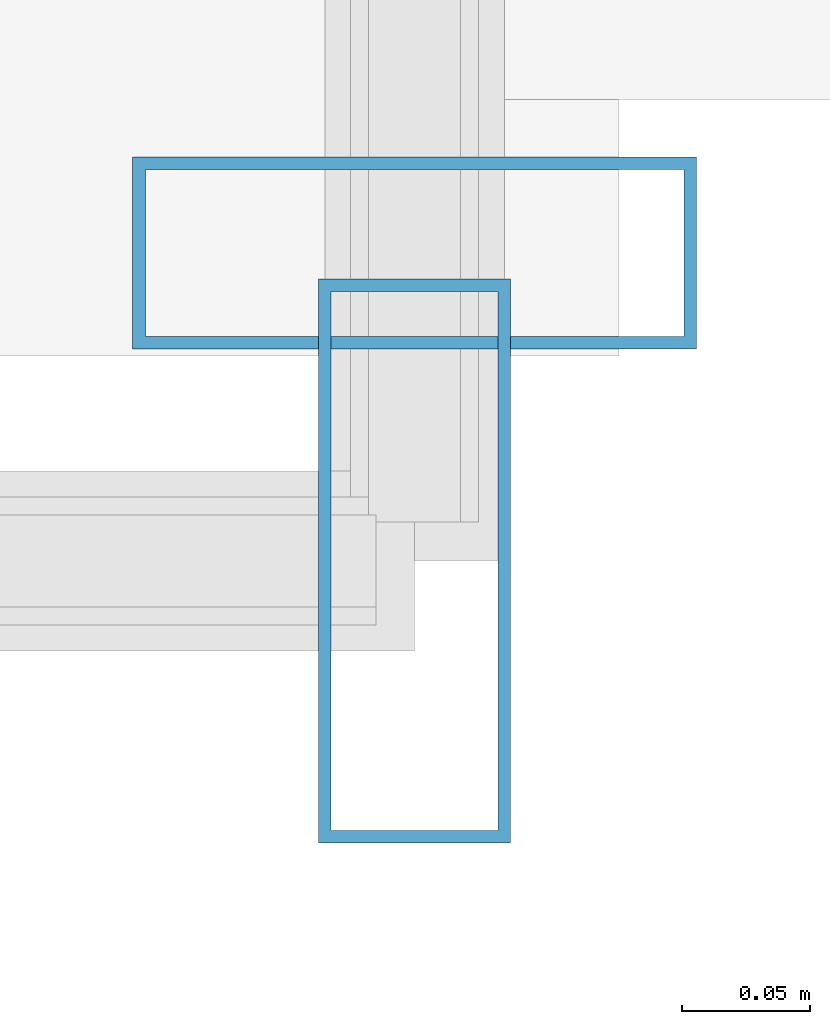
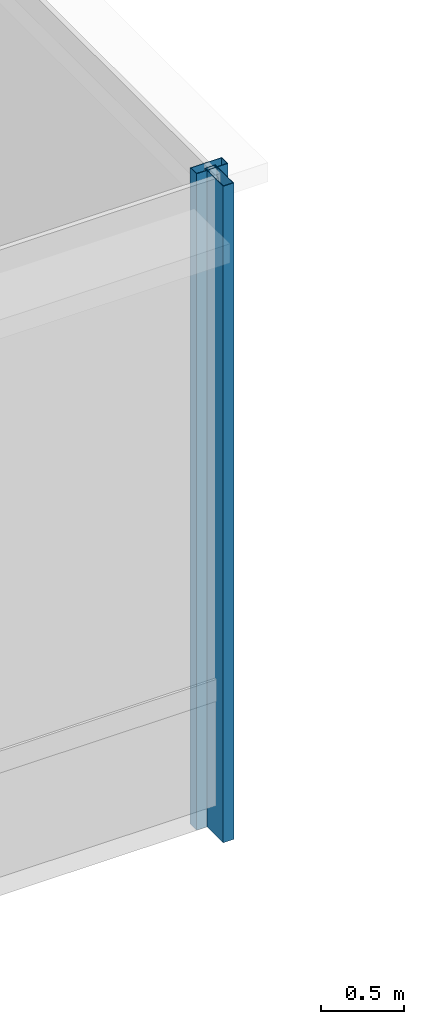
# One storey, part 5 of 40: 2 members, 2 elements without a shape of their own.
"""IFC4 building model written with IfcOpenShell, lengths in metres."""

from ifc_helpers import new_model, si_unit, direction, frame, origin, origin_2d, place, context, subcontext, project, spatial, hollow_rectangle, extrude, material, layer, layer_set, material_profile, profile_set, type_object, element, aggregate, save


model = new_model("IFC4")

# Units and contexts
model_context = context("Model", 3, precision=1e-05, world=origin(), true_north=direction((0.0, 1.0)))
body_context = subcontext(model_context, "Body", "Model", "MODEL_VIEW")
ifc_project = project(units=[si_unit("LENGTHUNIT", "METRE"), si_unit("AREAUNIT", "SQUARE_METRE"), si_unit("VOLUMEUNIT", "CUBIC_METRE"), si_unit("PLANEANGLEUNIT", "RADIAN"), si_unit("MASSUNIT", "GRAM", prefix="KILO")], contexts=[model_context])

# Site, building, storey
site_placement = place(None, origin())
site = spatial("IfcSite", under=ifc_project, at=site_placement, CompositionType="ELEMENT")
building_placement = place(site_placement, origin())
building = spatial("IfcBuilding", under=site, at=building_placement, Name="Brelmoor Portico Tower", CompositionType="ELEMENT")
storey_placement = place(building_placement, frame((0.0, 0.0, 4.800048828125)))
storey = spatial("IfcBuildingStorey", under=building, at=storey_placement, Name="L01", CompositionType="ELEMENT", Elevation=4.800048828125)

# Curtain wall, member
ifc_material = material(Name="Anodised Aluminium Alloy 6063-T6", Category="aluminium")
ifc_layer = layer(ifc_material, 0.179931640625)
ifc_layer_set = layer_set([ifc_layer], Name="Anodised Aluminium Alloy 6063-T6")
curtain_wall_type = type_object("IfcCurtainWallType", Name="CW-PODIUM-ARCH", PredefinedType="NOTDEFINED", material=ifc_layer_set)
curtain_wall_1_placement = place(storey_placement, origin())
curtain_wall_1 = element("IfcCurtainWall", 1, at=curtain_wall_1_placement, inside=storey, type_object=curtain_wall_type, Name="L01 Curtain Wall CW-L01-11", PredefinedType="NOTDEFINED")
ifc_material_profile = material_profile(ifc_material, hollow_rectangle(XDim=0.074951171875, YDim=0.219970703125, WallThickness=0.0048828125, at=origin_2d()), Name="ALU MULLION 75x220")
ifc_profile_set = profile_set([ifc_material_profile], Name="Anodised Aluminium Alloy 6063-T6")
member_type = type_object("IfcMemberType", Name="MB-CW-MULL-220", PredefinedType="MULLION", material=ifc_profile_set)
member_1_placement = place(storey_placement, frame((-5.8798828125, -13.580078125, -0.219970703125), z_axis=(0.0, 0.0, 1.0), x_axis=(1.0, 0.0, 0.0)))
member_1 = element("IfcMember", 2, at=member_1_placement, type_object=member_type, Name="CW-L01-11 Mullion 01", PredefinedType="MULLION", context=body_context, shape_type="SweptSolid", body=[
    extrude(hollow_rectangle(XDim=0.074951171875, YDim=0.219970703125, WallThickness=0.0048828125, at=origin_2d()), origin(), (0.0, 0.0, 1.0), 4.7998046875),
])
aggregate(curtain_wall_1, [member_1])

curtain_wall_2_placement = place(storey_placement, origin())
curtain_wall_2 = element("IfcCurtainWall", 3, at=curtain_wall_2_placement, inside=storey, type_object=curtain_wall_type, Name="L01 Curtain Wall CW-L01-15", PredefinedType="NOTDEFINED")
member_2_placement = place(storey_placement, frame((-5.8798828125, -13.4599609375, -0.219970703125), z_axis=(0.0, 0.0, 1.0), x_axis=(0.0, 1.0, 0.0)))
member_2 = element("IfcMember", 4, at=member_2_placement, type_object=member_type, Name="CW-L01-15 Mullion 00", PredefinedType="MULLION", context=body_context, shape_type="SweptSolid", body=[
    extrude(hollow_rectangle(XDim=0.074951171875, YDim=0.219970703125, WallThickness=0.0048828125, at=origin_2d()), origin(), (0.0, 0.0, 1.0), 4.7998046875),
])
aggregate(curtain_wall_2, [member_2])

save(model, "model.ifc")
